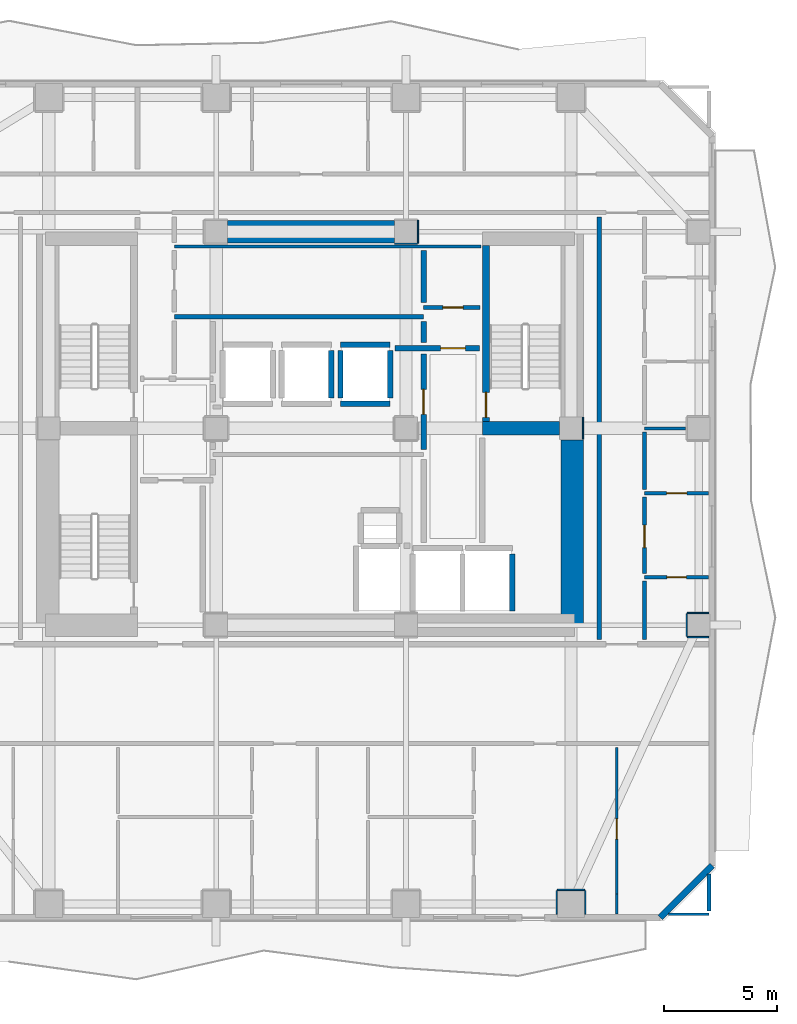
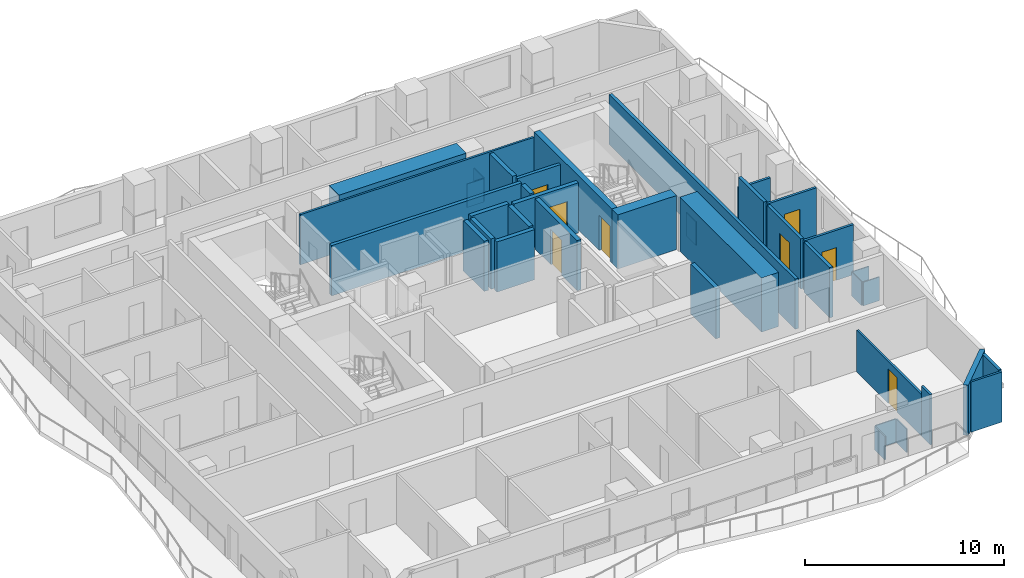
# One storey, part 5 of 11: 38 walls, 8 doors, 8 openings.
"""IFC4 building model written with IfcOpenShell, lengths in metres."""

from ifc_helpers import new_model, si_unit, direction, frame, frame_2d, origin, place, context, subcontext, project, spatial, rectangle, extrude, material, layer, layer_set, type_object, element, fill, save


model = new_model("IFC4")

# Units and contexts
model_context = context("Model", 3, precision=1e-05, world=origin(), true_north=direction((0.0, 1.0)))
body_context = subcontext(model_context, "Body", "Model", "MODEL_VIEW")
ifc_project = project(units=[si_unit("LENGTHUNIT", "METRE"), si_unit("AREAUNIT", "SQUARE_METRE"), si_unit("VOLUMEUNIT", "CUBIC_METRE"), si_unit("PLANEANGLEUNIT", "RADIAN"), si_unit("MASSUNIT", "GRAM", prefix="KILO")], contexts=[model_context])

# Site, building, storey
site_placement = place(None, origin())
site = spatial("IfcSite", under=ifc_project, at=site_placement, CompositionType="ELEMENT")
building_placement = place(site_placement, origin())
building = spatial("IfcBuilding", under=site, at=building_placement, Name="Solanera Arch Residences", CompositionType="ELEMENT")
storey_placement = place(building_placement, frame((0.0, 0.0, 109.39990234375)))
storey = spatial("IfcBuildingStorey", under=building, at=storey_placement, Name="L31", CompositionType="ELEMENT", Elevation=109.39990234375)

# Walls
ifc_material_1 = material(Name="Fire-Rated Gypsum Stud Partition", Category="gypsum")
ifc_layer_1 = layer(ifc_material_1, 0.06005859375)
ifc_layer_set_1 = layer_set([ifc_layer_1], Name="Fire-Rated Gypsum Stud Partition")
wall_type_1 = type_object("IfcWallType", Name="Column Acoustic Furring Wall 60", PredefinedType="PARTITIONING", material=ifc_layer_set_1)
for number, where, z_axis, x_axis, name in (
    (1, (28.699951171875, 38.867919921875, 0.0), (0.0, 0.0, 1.0), (1.0, 0.0, 0.0), "L31 Column Furring 4S"),
    (2, (29.73193359375, 38.89990234375, 0.0), (0.0, 0.0, 1.0), (0.0, 1.0, 0.0), "L31 Column Furring 4E"),
):
    element("IfcWall", number, at=place(storey_placement, frame(where, z_axis=z_axis, x_axis=x_axis)), inside=storey, type_object=wall_type_1, Name=name, PredefinedType="PARTITIONING", context=body_context, shape_type="SweptSolid", body=[
        extrude(rectangle(XDim=1.0, YDim=0.06005859375, at=frame_2d((0.5, 0.0))), origin(), (0.0, 0.0, 1.0), 1.4501953125),
    ])
wall_1_placement = place(storey_placement, frame((37.031982421875, 30.2099609375, 0.0), z_axis=(0.0, 0.0, 1.0), x_axis=(0.0, 1.0, 0.0)))
element("IfcWall", 3, at=wall_1_placement, inside=storey, type_object=wall_type_1, Name="L31 Column Furring 6E", PredefinedType="PARTITIONING", context=body_context, shape_type="SweptSolid", body=[
    extrude(rectangle(XDim=0.97998046875, YDim=0.06005859375, at=frame_2d((0.489990234375, 0.0))), origin(), (0.0, 0.0, 1.0), 1.4501953125),
])
wall_2_placement = place(storey_placement, frame((35.89990234375, 10.281982421875, 0.0), z_axis=(0.0, 0.0, 1.0), x_axis=(1.0, 0.0, 0.0)))
element("IfcWall", 4, at=wall_2_placement, inside=storey, type_object=wall_type_1, Name="L31 Column Furring 15N", PredefinedType="PARTITIONING", context=body_context, shape_type="SweptSolid", body=[
    extrude(rectangle(XDim=1.2001953125, YDim=0.06005859375, at=frame_2d((0.60009765625, 0.0))), origin(), (0.0, 0.0, 1.0), 1.4501953125),
])
for number, where, z_axis, x_axis, name in (
    (5, (35.867919921875, 9.2099609375, 0.0), (0.0, 0.0, 1.0), (0.0, 1.0, 0.0), "L31 Column Furring 15W"),
    (6, (37.132080078125, 9.2099609375, 0.0), (0.0, 0.0, 1.0), (0.0, 1.0, 0.0), "L31 Column Furring 15E"),
):
    element("IfcWall", number, at=place(storey_placement, frame(where, z_axis=z_axis, x_axis=x_axis)), inside=storey, type_object=wall_type_1, Name=name, PredefinedType="PARTITIONING", context=body_context, shape_type="SweptSolid", body=[
        extrude(rectangle(XDim=1.0400390625, YDim=0.06005859375, at=frame_2d((0.52001953125, 0.0))), origin(), (0.0, 0.0, 1.0), 1.4501953125),
    ])
for number, where, z_axis, x_axis, name in (
    (7, (41.64990234375, 21.468017578125, 0.0), (0.0, 0.0, 1.0), (1.0, 0.0, 0.0), "L31 Column Furring 18S"),
    (8, (41.64990234375, 22.531982421875, 0.0), (0.0, 0.0, 1.0), (1.0, 0.0, 0.0), "L31 Column Furring 18N"),
):
    element("IfcWall", number, at=place(storey_placement, frame(where, z_axis=z_axis, x_axis=x_axis)), inside=storey, type_object=wall_type_1, Name=name, PredefinedType="PARTITIONING", context=body_context, shape_type="SweptSolid", body=[
        extrude(rectangle(XDim=0.940185546875, YDim=0.06005859375, at=frame_2d((0.47021484375, 0.0))), origin(), (0.0, 0.0, 1.0), 1.4501953125),
    ])
wall_3_placement = place(storey_placement, frame((41.617919921875, 21.5, 0.0), z_axis=(0.0, 0.0, 1.0), x_axis=(0.0, 1.0, 0.0)))
element("IfcWall", 9, at=wall_3_placement, inside=storey, type_object=wall_type_1, Name="L31 Column Furring 18W", PredefinedType="PARTITIONING", context=body_context, shape_type="SweptSolid", body=[
    extrude(rectangle(XDim=1.0, YDim=0.06005859375, at=frame_2d((0.5, 0.0))), origin(), (0.0, 0.0, 1.0), 1.4501953125),
])
ifc_material_2 = material(Name="Concrete C55/67 (f'c = 60 MPa)", Category="concrete")
ifc_layer_2 = layer(ifc_material_2, 1.0)
ifc_layer_set_2 = layer_set([ifc_layer_2], Name="Concrete C55/67 (f'c = 60 MPa)")
wall_type_2 = type_object("IfcWallType", Name="Core Shear Wall CW-1000", PredefinedType="SHEAR", material=ifc_layer_set_2)
wall_4_placement = place(storey_placement, frame((36.56005859375, 22.0, 0.0), z_axis=(0.0, 0.0, 1.0), x_axis=(0.0, 1.0, 0.0)))
element("IfcWall", 10, at=wall_4_placement, inside=storey, type_object=wall_type_2, Name="L31 East Core South Shear Wall", PredefinedType="SHEAR", context=body_context, shape_type="SweptSolid", body=[
    extrude(rectangle(XDim=8.195068359375, YDim=1.0, at=frame_2d((4.09765625, 0.0))), origin(), (0.0, 0.0, 1.0), 3.320068359375),
])
wall_5_placement = place(storey_placement, frame((21.304931640625, 39.39990234375, 0.0), z_axis=(0.0, 0.0, 1.0), x_axis=(1.0, 0.0, 0.0)))
element("IfcWall", 11, at=wall_5_placement, inside=storey, type_object=wall_type_2, Name="L31 Central North Core Shear Wall", PredefinedType="SHEAR", context=body_context, shape_type="SweptSolid", body=[
    extrude(rectangle(XDim=7.39013671875, YDim=1.0, at=frame_2d((3.695068359375, 0.0))), origin(), (0.0, 0.0, 1.0), 3.320068359375),
])

# Wall, opening, door
ifc_material_3 = material(Name="Concrete C40/50 (f'c = 45 MPa)", Category="concrete")
ifc_layer_3 = layer(ifc_material_3, 0.320068359375)
ifc_layer_set_3 = layer_set([ifc_layer_3], Name="Concrete C40/50 (f'c = 45 MPa)")
wall_type_3 = type_object("IfcWallType", Name="Core Shear Wall CW-320", PredefinedType="SHEAR", material=ifc_layer_set_3)
wall_6_placement = place(storey_placement, frame((32.739990234375, 31.0, 0.0), z_axis=(0.0, 0.0, 1.0), x_axis=(0.0, 1.0, 0.0)))
wall_6 = element("IfcWall", 12, at=wall_6_placement, inside=storey, type_object=wall_type_3, Name="L31 Stair ST-T2 West Shear Wall", PredefinedType="SHEAR", context=body_context, shape_type="SweptSolid", body=[
    extrude(rectangle(XDim=7.800048828125, YDim=0.320068359375, at=frame_2d((3.89990234375, 0.0))), origin(), (0.0, 0.0, 1.0), 3.320068359375),
])
opening_1_placement = place(wall_6_placement, frame((0.18994140625, 0.0, 0.0)))
opening_1 = element("IfcOpeningElement", 13, at=opening_1_placement, cuts=wall_6, Name="Opening DF-01", PredefinedType="OPENING", context=body_context, shape_type="SweptSolid", body=[
    extrude(rectangle(XDim=1.10009765625, YDim=2.14990234375, at=frame_2d((0.550048828125, 1.074951171875))), frame((0.0, 0.169921875, 0.0), z_axis=(0.0, -1.0, 0.0), x_axis=(1.0, 0.0, 0.0)), (0.0, 0.0, 1.0), 0.3401),
])
ifc_material_4 = material(Name="Fire-Rated Architectural Hardwood", Category="wood")
door_type_1 = type_object("IfcDoorType", Name="Stair Exit Fire Door DF-01", OperationType="NOTDEFINED", PredefinedType="DOOR", material=ifc_material_4)
door_1_placement = place(opening_1_placement, origin())
door_1 = element("IfcDoor", 14, at=door_1_placement, inside=storey, type_object=door_type_1, Name="DR-L31-STAIR-ST-T2", OperationType="SINGLE_SWING_RIGHT", OverallHeight=2.14990234375, OverallWidth=1.10009765625, PredefinedType="DOOR", context=body_context, shape_type="SweptSolid", body=[
    extrude(rectangle(XDim=1.10009765625, YDim=2.14990234375, at=frame_2d((0.550048828125, 1.074951171875))), frame((0.0, 0.02490234375, 0.0), z_axis=(0.0, -1.0, 0.0), x_axis=(1.0, 0.0, 0.0)), (0.0, 0.0, 1.0), 0.050048828125),
])
fill(opening_1, door_1)

# Wall
ifc_material_5 = material(Name="Concrete C40/50 (f'c = 45 MPa)", Category="concrete")
ifc_layer_4 = layer(ifc_material_5, 0.60009765625)
ifc_layer_set_4 = layer_set([ifc_layer_4], Name="Concrete C40/50 (f'c = 45 MPa)")
wall_type_4 = type_object("IfcWallType", Name="Core Shear Wall CW-600", PredefinedType="SHEAR", material=ifc_layer_set_4)
wall_7_placement = place(storey_placement, frame((32.580078125, 30.699951171875, 0.0), z_axis=(0.0, 0.0, 1.0), x_axis=(1.0, 0.0, 0.0)))
element("IfcWall", 15, at=wall_7_placement, inside=storey, type_object=wall_type_4, Name="L31 East Stair Far-Landing Shear Wall", PredefinedType="SHEAR", context=body_context, shape_type="SweptSolid", body=[
    extrude(rectangle(XDim=3.4150390625, YDim=0.60009765625, at=frame_2d((1.70751953125, 0.0))), origin(), (0.0, 0.0, 1.0), 3.320068359375),
])

# Wall, opening, door
ifc_material_6 = material(Name="Autoclaved Aerated Concrete Blockwork", Category="masonry")
ifc_layer_5 = layer(ifc_material_6, 0.179931640625)
ifc_layer_set_5 = layer_set([ifc_layer_5], Name="Autoclaved Aerated Concrete Blockwork")
wall_type_5 = type_object("IfcWallType", Name="Corridor Fire Partition 180", PredefinedType="PARTITIONING", material=ifc_layer_set_5)
wall_8_placement = place(storey_placement, frame((29.97509765625, 36.050048828125, 0.0), z_axis=(0.0, 0.0, 1.0), x_axis=(1.0, 0.0, 0.0)))
wall_8 = element("IfcWall", 16, at=wall_8_placement, inside=storey, type_object=wall_type_5, Name="L31 Interior Partition H10", PredefinedType="PARTITIONING", context=body_context, shape_type="SweptSolid", body=[
    extrude(rectangle(XDim=2.5048828125, YDim=0.179931640625, at=frame_2d((1.25244140625, 0.0))), origin(), (0.0, 0.0, 1.0), 3.080078125),
])
opening_2_placement = place(wall_8_placement, frame((0.85205078125, 0.0, 0.0)))
opening_2 = element("IfcOpeningElement", 17, at=opening_2_placement, cuts=wall_8, Name="Opening DI-02", PredefinedType="OPENING", context=body_context, shape_type="SweptSolid", body=[
    extrude(rectangle(XDim=0.89990234375, YDim=2.10009765625, at=frame_2d((0.449951171875, 1.050048828125))), frame((0.0, 0.10009765625, 0.0), z_axis=(0.0, -1.0, 0.0), x_axis=(1.0, 0.0, 0.0)), (0.0, 0.0, 1.0), 0.1999),
])
ifc_material_7 = material(Name="Fire-Rated Architectural Hardwood", Category="wood")
door_type_2 = type_object("IfcDoorType", Name="Suite Room Swing Door DI-02", OperationType="NOTDEFINED", PredefinedType="DOOR", material=ifc_material_7)
door_2_placement = place(opening_2_placement, origin())
door_2 = element("IfcDoor", 18, at=door_2_placement, inside=storey, type_object=door_type_2, Name="DR-L31-IN-015", OperationType="SINGLE_SWING_LEFT", OverallHeight=2.10009765625, OverallWidth=0.89990234375, PredefinedType="DOOR", context=body_context, shape_type="SweptSolid", body=[
    extrude(rectangle(XDim=0.89990234375, YDim=2.10009765625, at=frame_2d((0.449951171875, 1.050048828125))), frame((0.0, 0.02490234375, 0.0), z_axis=(0.0, -1.0, 0.0), x_axis=(1.0, 0.0, 0.0)), (0.0, 0.0, 1.0), 0.050048828125),
])
fill(opening_2, door_2)

# Walls
wall_9_placement = place(storey_placement, frame((37.75, 21.367919921875, 0.0), z_axis=(0.0, 0.0, 1.0), x_axis=(0.0, 1.0, 0.0)))
element("IfcWall", 19, at=wall_9_placement, inside=storey, type_object=wall_type_5, Name="L31 Interior Partition V12", PredefinedType="PARTITIONING", context=body_context, shape_type="SweptSolid", body=[
    extrude(rectangle(XDim=18.694091796875, YDim=0.179931640625, at=frame_2d((9.34716796875, 0.0))), origin(), (0.0, 0.0, 1.0), 3.080078125),
])
wall_10_placement = place(storey_placement, frame((39.75, 21.367919921875, 0.0), z_axis=(0.0, 0.0, 1.0), x_axis=(0.0, 1.0, 0.0)))
element("IfcWall", 20, at=wall_10_placement, inside=storey, type_object=wall_type_5, Name="L31 Interior Partition V13 1", PredefinedType="PARTITIONING", context=body_context, shape_type="SweptSolid", body=[
    extrude(rectangle(XDim=2.576171875, YDim=0.179931640625, at=frame_2d((1.2880859375, 0.0))), origin(), (0.0, 0.0, 1.0), 3.080078125),
])

# Wall, opening, door
wall_11_placement = place(storey_placement, frame((39.75, 24.280029296875, 0.0), z_axis=(0.0, 0.0, 1.0), x_axis=(0.0, 1.0, 0.0)))
wall_11 = element("IfcWall", 21, at=wall_11_placement, inside=storey, type_object=wall_type_5, Name="L31 Interior Partition V13 2", PredefinedType="PARTITIONING", context=body_context, shape_type="SweptSolid", body=[
    extrude(rectangle(XDim=3.386962890625, YDim=0.179931640625, at=frame_2d((1.693359375, 0.0))), origin(), (0.0, 0.0, 1.0), 3.080078125),
])
opening_3_placement = place(wall_11_placement, frame((1.14501953125, 0.0, 0.0)))
opening_3 = element("IfcOpeningElement", 22, at=opening_3_placement, cuts=wall_11, Name="Opening DI-01", PredefinedType="OPENING", context=body_context, shape_type="SweptSolid", body=[
    extrude(rectangle(XDim=1.0, YDim=2.14990234375, at=frame_2d((0.5, 1.074951171875))), frame((0.0, 0.10009765625, 0.0), z_axis=(0.0, -1.0, 0.0), x_axis=(1.0, 0.0, 0.0)), (0.0, 0.0, 1.0), 0.1999),
])
ifc_material_8 = material(Name="Fire-Rated Architectural Hardwood", Category="wood")
door_type_3 = type_object("IfcDoorType", Name="Unit Entrance Fire Door DI-01", OperationType="NOTDEFINED", PredefinedType="DOOR", material=ifc_material_8)
door_3_placement = place(opening_3_placement, origin())
door_3 = element("IfcDoor", 23, at=door_3_placement, inside=storey, type_object=door_type_3, Name="DR-L31-IN-044", OperationType="SINGLE_SWING_RIGHT", OverallHeight=2.14990234375, OverallWidth=1.0, PredefinedType="DOOR", context=body_context, shape_type="SweptSolid", body=[
    extrude(rectangle(XDim=1.0, YDim=2.14990234375, at=frame_2d((0.5, 1.074951171875))), frame((0.0, 0.02490234375, 0.0), z_axis=(0.0, -1.0, 0.0), x_axis=(1.0, 0.0, 0.0)), (0.0, 0.0, 1.0), 0.050048828125),
])
fill(opening_3, door_3)

# Walls
wall_12_placement = place(storey_placement, frame((39.75, 28.0029296875, 0.0), z_axis=(0.0, 0.0, 1.0), x_axis=(0.0, 1.0, 0.0)))
element("IfcWall", 24, at=wall_12_placement, inside=storey, type_object=wall_type_5, Name="L31 Interior Partition V13 3", PredefinedType="PARTITIONING", context=body_context, shape_type="SweptSolid", body=[
    extrude(rectangle(XDim=2.529052734375, YDim=0.179931640625, at=frame_2d((1.2646484375, 0.0))), origin(), (0.0, 0.0, 1.0), 3.080078125),
])
wall_13_placement = place(storey_placement, frame((42.60009765625, 9.35791015625, 0.0), z_axis=(0.0, 0.0, 1.0), x_axis=(0.0, 1.0, 0.0)))
element("IfcWall", 25, at=wall_13_placement, inside=storey, type_object=wall_type_5, Name="L31 Interior Partition V14 1", PredefinedType="PARTITIONING", context=body_context, shape_type="SweptSolid", body=[
    extrude(rectangle(XDim=1.63720703125, YDim=0.179931640625, at=frame_2d((0.818603515625, 0.0))), origin(), (0.0, 0.0, 1.0), 3.080078125),
])
ifc_material_9 = material(Name="Precast Concrete C35/45", Category="concrete")
ifc_layer_6 = layer(ifc_material_9, 0.280029296875)
ifc_layer_set_6 = layer_set([ifc_layer_6], Name="Precast Concrete C35/45")
wall_type_6 = type_object("IfcWallType", Name="Exterior Wall Precast Masonry-Frame 280", PredefinedType="STANDARD", material=ifc_layer_set_6)
wall_14_placement = place(storey_placement, frame((42.7451171875, 11.35498046875, 0.0), z_axis=(0.0, 0.0, 1.0), x_axis=(-0.707106781187, -0.707106781187, 0.0)))
element("IfcWall", 26, at=wall_14_placement, inside=storey, type_object=wall_type_6, Name="L31 Tower Exterior Precast Masonry-Frame Wall CH5", PredefinedType="STANDARD", context=body_context, shape_type="SweptSolid", body=[
    extrude(rectangle(XDim=3.252685546875, YDim=0.280029296875, at=frame_2d((1.62646484375, 0.0))), origin(), (0.0, 0.0, 1.0), 3.080078125),
])
ifc_material_10 = material(Name="Autoclaved Aerated Concrete Blockwork", Category="masonry")
ifc_layer_7 = layer(ifc_material_10, 0.199951171875)
ifc_layer_set_7 = layer_set([ifc_layer_7], Name="Autoclaved Aerated Concrete Blockwork")
wall_type_7 = type_object("IfcWallType", Name="Party Wall Acoustic 200", PredefinedType="PARTITIONING", material=ifc_layer_set_7)
wall_15_placement = place(storey_placement, frame((18.949951171875, 35.64990234375, 0.0), z_axis=(0.0, 0.0, 1.0), x_axis=(1.0, 0.0, 0.0)))
element("IfcWall", 27, at=wall_15_placement, inside=storey, type_object=wall_type_7, Name="L31 Interior Partition H6", PredefinedType="PARTITIONING", context=body_context, shape_type="SweptSolid", body=[
    extrude(rectangle(XDim=11.025146484375, YDim=0.199951171875, at=frame_2d((5.5126953125, 0.0))), origin(), (0.0, 0.0, 1.0), 3.080078125),
])
ifc_material_11 = material(Name="Autoclaved Aerated Concrete Blockwork", Category="masonry")
ifc_layer_8 = layer(ifc_material_11, 0.239990234375)
ifc_layer_set_8 = layer_set([ifc_layer_8], Name="Autoclaved Aerated Concrete Blockwork")
wall_type_8 = type_object("IfcWallType", Name="Shaft Wall Fire-Rated 240", PredefinedType="PARTITIONING", material=ifc_layer_set_8)
wall_16_placement = place(storey_placement, frame((25.89990234375, 32.048095703125, 0.0), z_axis=(0.0, 0.0, 1.0), x_axis=(0.0, 1.0, 0.0)))
element("IfcWall", 28, at=wall_16_placement, inside=storey, type_object=wall_type_8, Name="L31 Lift PL-M2 Hoistway Wall E", PredefinedType="PARTITIONING", context=body_context, shape_type="SweptSolid", body=[
    extrude(rectangle(XDim=2.10400390625, YDim=0.239990234375, at=frame_2d((1.052001953125, 0.0))), origin(), (0.0, 0.0, 1.0), 3.080078125),
])
for number, where, z_axis, x_axis, name in (
    (29, (26.300048828125, 31.800048828125, 0.0), (0.0, 0.0, 1.0), (1.0, 0.0, 0.0), "L31 Lift PL-M3 Hoistway Wall S"),
    (30, (26.300048828125, 34.39990234375, 0.0), (0.0, 0.0, 1.0), (1.0, 0.0, 0.0), "L31 Lift PL-M3 Hoistway Wall N"),
):
    element("IfcWall", number, at=place(storey_placement, frame(where, z_axis=z_axis, x_axis=x_axis)), inside=storey, type_object=wall_type_8, Name=name, PredefinedType="PARTITIONING", context=body_context, shape_type="SweptSolid", body=[
        extrude(rectangle(XDim=2.199951171875, YDim=0.239990234375, at=frame_2d((1.10009765625, 0.0))), origin(), (0.0, 0.0, 1.0), 3.080078125),
    ])
for number, where, z_axis, x_axis, name in (
    (31, (26.300048828125, 32.048095703125, 0.0), (0.0, 0.0, 1.0), (0.0, 1.0, 0.0), "L31 Lift PL-M3 Hoistway Wall W"),
    (32, (28.5, 32.048095703125, 0.0), (0.0, 0.0, 1.0), (0.0, 1.0, 0.0), "L31 Lift PL-M3 Hoistway Wall E"),
):
    element("IfcWall", number, at=place(storey_placement, frame(where, z_axis=z_axis, x_axis=x_axis)), inside=storey, type_object=wall_type_8, Name=name, PredefinedType="PARTITIONING", context=body_context, shape_type="SweptSolid", body=[
        extrude(rectangle(XDim=2.10400390625, YDim=0.239990234375, at=frame_2d((1.052001953125, 0.0))), origin(), (0.0, 0.0, 1.0), 3.080078125),
    ])
wall_17_placement = place(storey_placement, frame((33.89990234375, 22.6298828125, 0.0), z_axis=(0.0, 0.0, 1.0), x_axis=(0.0, 1.0, 0.0)))
element("IfcWall", 33, at=wall_17_placement, inside=storey, type_object=wall_type_8, Name="L31 Lift FFL-2 Hoistway Wall E", PredefinedType="PARTITIONING", context=body_context, shape_type="SweptSolid", body=[
    extrude(rectangle(XDim=2.522216796875, YDim=0.239990234375, at=frame_2d((1.26123046875, 0.0))), origin(), (0.0, 0.0, 1.0), 3.080078125),
])

# Wall, opening, door
wall_18_placement = place(storey_placement, frame((28.701904296875, 34.25, 0.0), z_axis=(0.0, 0.0, 1.0), x_axis=(1.0, 0.0, 0.0)))
wall_18 = element("IfcWall", 34, at=wall_18_placement, inside=storey, type_object=wall_type_8, Name="L31 Interior Partition H5", PredefinedType="PARTITIONING", context=body_context, shape_type="SweptSolid", body=[
    extrude(rectangle(XDim=3.748046875, YDim=0.239990234375, at=frame_2d((1.8740234375, 0.0))), origin(), (0.0, 0.0, 1.0), 3.080078125),
])
opening_4_placement = place(wall_18_placement, frame((2.02490234375, 0.0, 0.0)))
opening_4 = element("IfcOpeningElement", 35, at=opening_4_placement, cuts=wall_18, Name="Opening DF-02", PredefinedType="OPENING", context=body_context, shape_type="SweptSolid", body=[
    extrude(rectangle(XDim=1.10009765625, YDim=2.14990234375, at=frame_2d((0.550048828125, 1.074951171875))), frame((0.0, 0.1298828125, 0.0), z_axis=(0.0, -1.0, 0.0), x_axis=(1.0, 0.0, 0.0)), (0.0, 0.0, 1.0), 0.26),
])
ifc_material_12 = material(Name="Fire-Rated Architectural Hardwood", Category="wood")
door_type_4 = type_object("IfcDoorType", Name="Firefighting Lobby Fire Door DF-02", OperationType="NOTDEFINED", PredefinedType="DOOR", material=ifc_material_12)
door_4_placement = place(opening_4_placement, origin())
door_4 = element("IfcDoor", 36, at=door_4_placement, inside=storey, type_object=door_type_4, Name="DR-L31-IN-007", OperationType="SINGLE_SWING_LEFT", OverallHeight=2.14990234375, OverallWidth=1.10009765625, PredefinedType="DOOR", context=body_context, shape_type="SweptSolid", body=[
    extrude(rectangle(XDim=1.10009765625, YDim=2.14990234375, at=frame_2d((0.550048828125, 1.074951171875))), frame((0.0, 0.02490234375, 0.0), z_axis=(0.0, -1.0, 0.0), x_axis=(1.0, 0.0, 0.0)), (0.0, 0.0, 1.0), 0.050048828125),
])
fill(opening_4, door_4)

wall_19_placement = place(storey_placement, frame((29.97509765625, 29.76806640625, 0.0), z_axis=(0.0, 0.0, 1.0), x_axis=(0.0, 1.0, 0.0)))
wall_19 = element("IfcWall", 37, at=wall_19_placement, inside=storey, type_object=wall_type_8, Name="L31 Interior Partition V5 2", PredefinedType="PARTITIONING", context=body_context, shape_type="SweptSolid", body=[
    extrude(rectangle(XDim=4.23388671875, YDim=0.239990234375, at=frame_2d((2.116943359375, 0.0))), origin(), (0.0, 0.0, 1.0), 3.080078125),
])
opening_5_placement = place(wall_19_placement, frame((1.556884765625, 0.0, 0.0)))
opening_5 = element("IfcOpeningElement", 38, at=opening_5_placement, cuts=wall_19, Name="Opening DF-02", PredefinedType="OPENING", context=body_context, shape_type="SweptSolid", body=[
    extrude(rectangle(XDim=1.10009765625, YDim=2.14990234375, at=frame_2d((0.550048828125, 1.074951171875))), frame((0.0, 0.1298828125, 0.0), z_axis=(0.0, -1.0, 0.0), x_axis=(1.0, 0.0, 0.0)), (0.0, 0.0, 1.0), 0.26),
])
door_5_placement = place(opening_5_placement, origin())
door_5 = element("IfcDoor", 39, at=door_5_placement, inside=storey, type_object=door_type_4, Name="DR-L31-IN-006", OperationType="SINGLE_SWING_RIGHT", OverallHeight=2.14990234375, OverallWidth=1.10009765625, PredefinedType="DOOR", context=body_context, shape_type="SweptSolid", body=[
    extrude(rectangle(XDim=1.10009765625, YDim=2.14990234375, at=frame_2d((0.550048828125, 1.074951171875))), frame((0.0, 0.02490234375, 0.0), z_axis=(0.0, -1.0, 0.0), x_axis=(1.0, 0.0, 0.0)), (0.0, 0.0, 1.0), 0.050048828125),
])
fill(opening_5, door_5)

# Walls
wall_20_placement = place(storey_placement, frame((29.97509765625, 34.498046875, 0.0), z_axis=(0.0, 0.0, 1.0), x_axis=(0.0, 1.0, 0.0)))
element("IfcWall", 40, at=wall_20_placement, inside=storey, type_object=wall_type_8, Name="L31 Interior Partition V5 3", PredefinedType="PARTITIONING", context=body_context, shape_type="SweptSolid", body=[
    extrude(rectangle(XDim=0.924072265625, YDim=0.239990234375, at=frame_2d((0.4619140625, 0.0))), origin(), (0.0, 0.0, 1.0), 3.080078125),
])
wall_21_placement = place(storey_placement, frame((29.97509765625, 36.26806640625, 0.0), z_axis=(0.0, 0.0, 1.0), x_axis=(0.0, 1.0, 0.0)))
element("IfcWall", 41, at=wall_21_placement, inside=storey, type_object=wall_type_8, Name="L31 Interior Partition V5 4", PredefinedType="PARTITIONING", context=body_context, shape_type="SweptSolid", body=[
    extrude(rectangle(XDim=2.2939453125, YDim=0.239990234375, at=frame_2d((1.14697265625, 0.0))), origin(), (0.0, 0.0, 1.0), 3.080078125),
])
ifc_material_13 = material(Name="Fire-Rated Gypsum Stud Partition", Category="gypsum")
ifc_layer_9 = layer(ifc_material_13, 0.1201171875)
ifc_layer_set_9 = layer_set([ifc_layer_9], Name="Fire-Rated Gypsum Stud Partition")
wall_type_9 = type_object("IfcWallType", Name="Unit Drywall Partition 120", PredefinedType="PARTITIONING", material=ifc_layer_set_9)
wall_22_placement = place(storey_placement, frame((40.804931640625, 9.199951171875, 0.0), z_axis=(0.0, 0.0, 1.0), x_axis=(1.0, 0.0, 0.0)))
element("IfcWall", 42, at=wall_22_placement, inside=storey, type_object=wall_type_9, Name="L31 Interior Partition H25 2", PredefinedType="PARTITIONING", context=body_context, shape_type="SweptSolid", body=[
    extrude(rectangle(XDim=1.795166015625, YDim=0.1201171875, at=frame_2d((0.8974609375, 0.0))), origin(), (0.0, 0.0, 1.0), 3.080078125),
])
wall_23_placement = place(storey_placement, frame((18.949951171875, 38.75, 0.0), z_axis=(0.0, 0.0, 1.0), x_axis=(1.0, 0.0, 0.0)))
element("IfcWall", 43, at=wall_23_placement, inside=storey, type_object=wall_type_9, Name="L31 Interior Partition H28", PredefinedType="PARTITIONING", context=body_context, shape_type="SweptSolid", body=[
    extrude(rectangle(XDim=13.56005859375, YDim=0.1201171875, at=frame_2d((6.780029296875, 0.0))), origin(), (0.0, 0.0, 1.0), 3.080078125),
])
wall_24_placement = place(storey_placement, frame((38.528076171875, 9.20703125, 0.0), z_axis=(0.0, 0.0, 1.0), x_axis=(0.0, 1.0, 0.0)))
element("IfcWall", 44, at=wall_24_placement, inside=storey, type_object=wall_type_9, Name="L31 Interior Partition V29 1", PredefinedType="PARTITIONING", context=body_context, shape_type="SweptSolid", body=[
    extrude(rectangle(XDim=0.89404296875, YDim=0.1201171875, at=frame_2d((0.447021484375, 0.0))), origin(), (0.0, 0.0, 1.0), 3.080078125),
])

# Wall, opening, door
wall_25_placement = place(storey_placement, frame((38.528076171875, 10.10107421875, 0.0), z_axis=(0.0, 0.0, 1.0), x_axis=(0.0, 1.0, 0.0)))
wall_25 = element("IfcWall", 45, at=wall_25_placement, inside=storey, type_object=wall_type_9, Name="L31 Interior Partition V29 2", PredefinedType="PARTITIONING", context=body_context, shape_type="SweptSolid", body=[
    extrude(rectangle(XDim=6.490966796875, YDim=0.1201171875, at=frame_2d((3.24560546875, 0.0))), origin(), (0.0, 0.0, 1.0), 2.565185546875),
])
opening_6_placement = place(wall_25_placement, frame((2.424072265625, 0.0, 0.0)))
opening_6 = element("IfcOpeningElement", 46, at=opening_6_placement, cuts=wall_25, Name="Opening DI-02", PredefinedType="OPENING", context=body_context, shape_type="SweptSolid", body=[
    extrude(rectangle(XDim=0.89990234375, YDim=2.10009765625, at=frame_2d((0.449951171875, 1.050048828125))), frame((0.0, 0.070068359375, 0.0), z_axis=(0.0, -1.0, 0.0), x_axis=(1.0, 0.0, 0.0)), (0.0, 0.0, 1.0), 0.1401),
])
door_6_placement = place(opening_6_placement, origin())
door_6 = element("IfcDoor", 47, at=door_6_placement, inside=storey, type_object=door_type_2, Name="DR-L31-IN-028", OperationType="SINGLE_SWING_RIGHT", OverallHeight=2.10009765625, OverallWidth=0.89990234375, PredefinedType="DOOR", context=body_context, shape_type="SweptSolid", body=[
    extrude(rectangle(XDim=0.89990234375, YDim=2.10009765625, at=frame_2d((0.449951171875, 1.050048828125))), frame((0.0, 0.02490234375, 0.0), z_axis=(0.0, -1.0, 0.0), x_axis=(1.0, 0.0, 0.0)), (0.0, 0.0, 1.0), 0.050048828125),
])
fill(opening_6, door_6)

ifc_material_14 = material(Name="Autoclaved Aerated Concrete Blockwork", Category="masonry")
ifc_layer_10 = layer(ifc_material_14, 0.139892578125)
ifc_layer_set_10 = layer_set([ifc_layer_10], Name="Autoclaved Aerated Concrete Blockwork")
wall_type_10 = type_object("IfcWallType", Name="Wet-Room Partition 140", PredefinedType="PARTITIONING", material=ifc_layer_set_10)
wall_26_placement = place(storey_placement, frame((39.75, 24.112060546875, 0.0), z_axis=(0.0, 0.0, 1.0), x_axis=(1.0, 0.0, 0.0)))
wall_26 = element("IfcWall", 48, at=wall_26_placement, inside=storey, type_object=wall_type_10, Name="L31 Interior Partition H16", PredefinedType="PARTITIONING", context=body_context, shape_type="SweptSolid", body=[
    extrude(rectangle(XDim=2.843017578125, YDim=0.139892578125, at=frame_2d((1.42138671875, 0.0))), origin(), (0.0, 0.0, 1.0), 3.080078125),
])
opening_7_placement = place(wall_26_placement, frame((0.9951171875, 0.0, 0.0)))
opening_7 = element("IfcOpeningElement", 49, at=opening_7_placement, cuts=wall_26, Name="Opening DI-05", PredefinedType="OPENING", context=body_context, shape_type="SweptSolid", body=[
    extrude(rectangle(XDim=0.860107421875, YDim=2.02001953125, at=frame_2d((0.43017578125, 1.010009765625))), frame((0.0, 0.079833984375, 0.0), z_axis=(0.0, -1.0, 0.0), x_axis=(1.0, 0.0, 0.0)), (0.0, 0.0, 1.0), 0.1599),
])
ifc_material_15 = material(Name="Fire-Rated Architectural Hardwood", Category="wood")
door_type_5 = type_object("IfcDoorType", Name="Bathroom Swing Door DI-05", OperationType="NOTDEFINED", PredefinedType="DOOR", material=ifc_material_15)
door_7_placement = place(opening_7_placement, origin())
door_7 = element("IfcDoor", 50, at=door_7_placement, inside=storey, type_object=door_type_5, Name="DR-L31-IN-045", OperationType="SINGLE_SWING_LEFT", OverallHeight=2.02001953125, OverallWidth=0.860107421875, PredefinedType="DOOR", context=body_context, shape_type="SweptSolid", body=[
    extrude(rectangle(XDim=0.860107421875, YDim=2.02001953125, at=frame_2d((0.43017578125, 1.010009765625))), frame((0.0, 0.02490234375, 0.0), z_axis=(0.0, -1.0, 0.0), x_axis=(1.0, 0.0, 0.0)), (0.0, 0.0, 1.0), 0.050048828125),
])
fill(opening_7, door_7)

wall_27_placement = place(storey_placement, frame((39.75, 27.8349609375, 0.0), z_axis=(0.0, 0.0, 1.0), x_axis=(1.0, 0.0, 0.0)))
wall_27 = element("IfcWall", 51, at=wall_27_placement, inside=storey, type_object=wall_type_10, Name="L31 Interior Partition H18", PredefinedType="PARTITIONING", context=body_context, shape_type="SweptSolid", body=[
    extrude(rectangle(XDim=2.843017578125, YDim=0.139892578125, at=frame_2d((1.42138671875, 0.0))), origin(), (0.0, 0.0, 1.0), 3.080078125),
])
opening_8_placement = place(wall_27_placement, frame((0.97509765625, 0.0, 0.0)))
opening_8 = element("IfcOpeningElement", 52, at=opening_8_placement, cuts=wall_27, Name="Opening DI-02", PredefinedType="OPENING", context=body_context, shape_type="SweptSolid", body=[
    extrude(rectangle(XDim=0.89990234375, YDim=2.10009765625, at=frame_2d((0.449951171875, 1.050048828125))), frame((0.0, 0.079833984375, 0.0), z_axis=(0.0, -1.0, 0.0), x_axis=(1.0, 0.0, 0.0)), (0.0, 0.0, 1.0), 0.1599),
])
door_8_placement = place(opening_8_placement, origin())
door_8 = element("IfcDoor", 53, at=door_8_placement, inside=storey, type_object=door_type_2, Name="DR-L31-IN-046", OperationType="SINGLE_SWING_RIGHT", OverallHeight=2.10009765625, OverallWidth=0.89990234375, PredefinedType="DOOR", context=body_context, shape_type="SweptSolid", body=[
    extrude(rectangle(XDim=0.89990234375, YDim=2.10009765625, at=frame_2d((0.449951171875, 1.050048828125))), frame((0.0, 0.02490234375, 0.0), z_axis=(0.0, -1.0, 0.0), x_axis=(1.0, 0.0, 0.0)), (0.0, 0.0, 1.0), 0.050048828125),
])
fill(opening_8, door_8)

# Wall
wall_28_placement = place(storey_placement, frame((39.75, 30.699951171875, 0.0), z_axis=(0.0, 0.0, 1.0), x_axis=(1.0, 0.0, 0.0)))
element("IfcWall", 54, at=wall_28_placement, inside=storey, type_object=wall_type_10, Name="L31 Interior Partition H20", PredefinedType="PARTITIONING", context=body_context, shape_type="SweptSolid", body=[
    extrude(rectangle(XDim=1.818115234375, YDim=0.139892578125, at=frame_2d((0.9091796875, 0.0))), origin(), (0.0, 0.0, 1.0), 2.315185546875),
])

save(model, "model.ifc")
